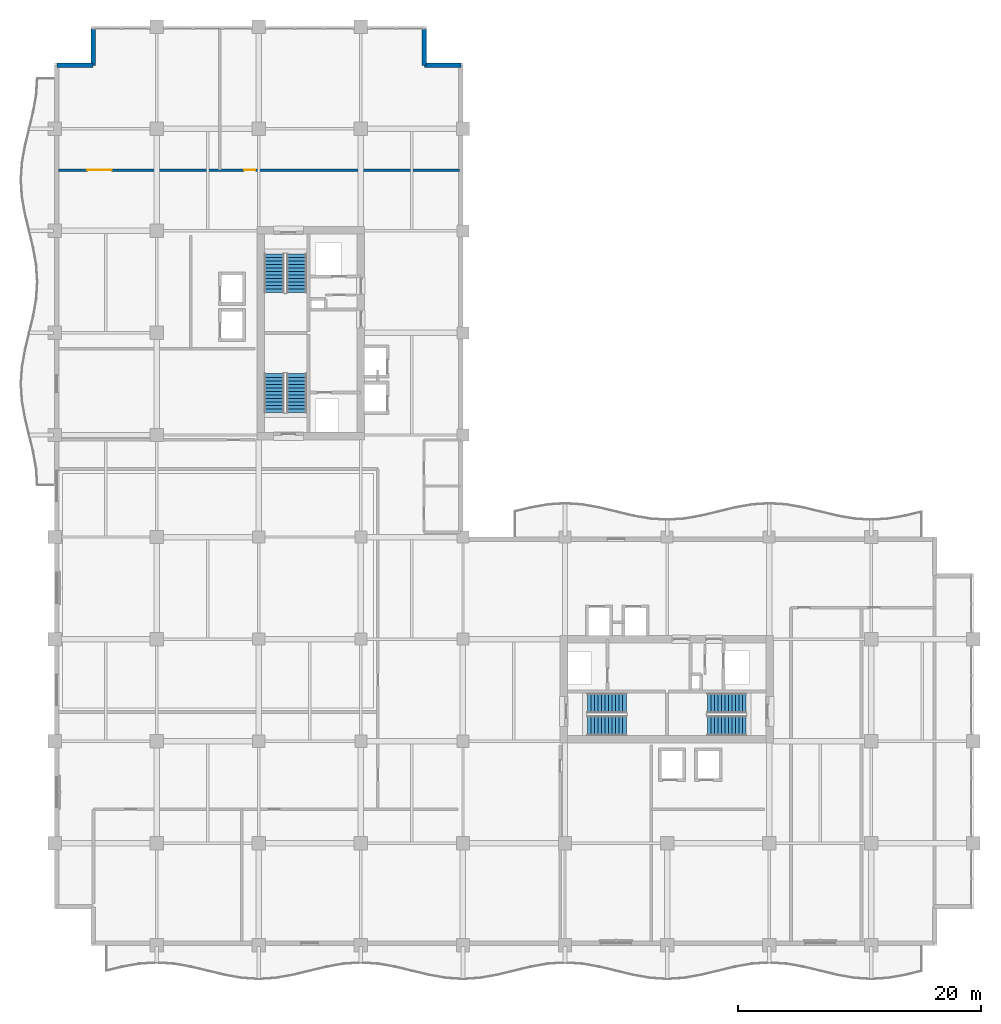
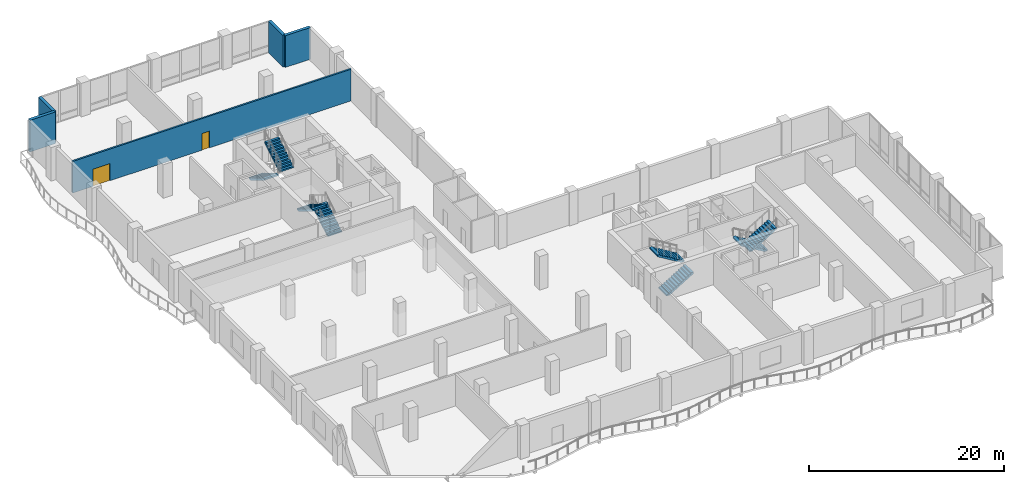
# One storey, part 16 of 22: 8 stair flights, 5 walls, 2 doors, 2 openings, 4 elements without a shape of their own.
"""IFC4 building model written with IfcOpenShell, lengths in metres."""

from ifc_helpers import new_model, si_unit, direction, frame, frame_2d, origin, place, context, subcontext, project, spatial, polyline, rectangle, outline, extrude, material, layer, layer_set, type_object, element, fill, aggregate, save


model = new_model("IFC4")

# Units and contexts
model_context = context("Model", 3, precision=1e-05, world=origin(), true_north=direction((0.0, 1.0)))
body_context = subcontext(model_context, "Body", "Model", "MODEL_VIEW")
ifc_project = project(units=[si_unit("LENGTHUNIT", "METRE"), si_unit("AREAUNIT", "SQUARE_METRE"), si_unit("VOLUMEUNIT", "CUBIC_METRE"), si_unit("PLANEANGLEUNIT", "RADIAN"), si_unit("MASSUNIT", "GRAM", prefix="KILO")], contexts=[model_context])

# Site, building, storey
site_placement = place(None, origin())
site = spatial("IfcSite", under=ifc_project, at=site_placement, CompositionType="ELEMENT")
building_placement = place(site_placement, origin())
building = spatial("IfcBuilding", under=site, at=building_placement, Name="Koriwani Terraces Tower", CompositionType="ELEMENT")
storey_placement = place(building_placement, frame((0.0, 0.0, 219.800048828125)))
storey = spatial("IfcBuildingStorey", under=building, at=storey_placement, Name="L54", CompositionType="ELEMENT", Elevation=219.800048828125)

# Wall, openings, doors
ifc_material_1 = material(Name="Autoclaved Cellular Concrete Blockwork", Category="masonry")
ifc_layer_1 = layer(ifc_material_1, 0.199951171875, Name="Autoclaved Cellular Concrete Blockwork")
ifc_layer_set_1 = layer_set([ifc_layer_1], Name="Autoclaved Cellular Concrete Blockwork")
wall_type_1 = type_object("IfcWallType", Name="WALL_CORRIDOR_200", PredefinedType="PARTITIONING", material=ifc_layer_set_1)
wall_placement = place(storey_placement, frame((0.300048828125, 63.800048828125, 0.0), z_axis=(0.0, 0.0, 1.0), x_axis=(1.0, 0.0, 0.0)))
wall = element("IfcWall", 1, at=wall_placement, inside=storey, type_object=wall_type_1, Name="L54 Interior Wall WSKY-N1-L54", PredefinedType="PARTITIONING", context=body_context, shape_type="SweptSolid", body=[
    extrude(rectangle(XDim=33.0, YDim=0.199951171875, at=frame_2d((16.5, 0.0))), origin(), (0.0, 0.0, 1.0), 3.969970703125),
])
opening_1_placement = place(wall_placement, frame((2.39990234375, 0.0, 0.0)))
opening_1 = element("IfcOpeningElement", 2, at=opening_1_placement, cuts=wall, Name="Opening D-02", PredefinedType="OPENING", context=body_context, shape_type="SweptSolid", body=[
    extrude(rectangle(XDim=2.0, YDim=2.14990234375, at=frame_2d((1.0, 1.074951171875))), frame((0.0, 0.10986328125, 0.0), z_axis=(0.0, -1.0, 0.0), x_axis=(1.0, 0.0, 0.0)), (0.0, 0.0, 1.0), 0.219970703125),
])
opening_2_placement = place(wall_placement, frame((15.300048828125, 0.0, 0.0)))
opening_2 = element("IfcOpeningElement", 3, at=opening_2_placement, cuts=wall, Name="Opening D-06", PredefinedType="OPENING", context=body_context, shape_type="SweptSolid", body=[
    extrude(rectangle(XDim=0.919921875, YDim=2.10009765625, at=frame_2d((0.4599609375, 1.050048828125))), frame((0.0, 0.10986328125, 0.0), z_axis=(0.0, -1.0, 0.0), x_axis=(1.0, 0.0, 0.0)), (0.0, 0.0, 1.0), 0.219970703125),
])
ifc_material_2 = material(Name="Anodised Bronze Aluminium", Category="aluminium")
door_type_1 = type_object("IfcDoorType", Name="DOOR_ENTRANCE_DOUBLE_2000X2400", OperationType="NOTDEFINED", PredefinedType="DOOR", material=ifc_material_2)
door_1_placement = place(opening_1_placement, origin())
door_1 = element("IfcDoor", 4, at=door_1_placement, inside=storey, type_object=door_type_1, Name="L54 North Wellness Studio Door", OperationType="SINGLE_SWING_RIGHT", OverallHeight=2.14990234375, OverallWidth=2.0, PredefinedType="DOOR", context=body_context, shape_type="SweptSolid", body=[
    extrude(rectangle(XDim=2.0, YDim=2.14990234375, at=frame_2d((1.0, 1.074951171875))), frame((0.0, 0.02490234375, 0.0), z_axis=(0.0, -1.0, 0.0), x_axis=(1.0, 0.0, 0.0)), (0.0, 0.0, 1.0), 0.050048828125),
])
fill(opening_1, door_1)
ifc_material_3 = material(Name="Architectural Oak Fire Door", Category="wood")
door_type_2 = type_object("IfcDoorType", Name="DOOR_ROOM_INT_920X2100", OperationType="NOTDEFINED", PredefinedType="DOOR", material=ifc_material_3)
door_2_placement = place(opening_2_placement, origin())
door_2 = element("IfcDoor", 5, at=door_2_placement, inside=storey, type_object=door_type_2, Name="L54 North Observatory Salon Door", OperationType="SINGLE_SWING_LEFT", OverallHeight=2.10009765625, OverallWidth=0.919921875, PredefinedType="DOOR", context=body_context, shape_type="SweptSolid", body=[
    extrude(rectangle(XDim=0.919921875, YDim=2.10009765625, at=frame_2d((0.4599609375, 1.050048828125))), frame((0.0, 0.02490234375, 0.0), z_axis=(0.0, -1.0, 0.0), x_axis=(1.0, 0.0, 0.0)), (0.0, 0.0, 1.0), 0.050048828125),
])
fill(opening_2, door_2)

# Walls
ifc_material_4 = material(Name="Concrete C50/60", Category="concrete")
ifc_layer_2 = layer(ifc_material_4, 0.35009765625, Name="Concrete C50/60")
ifc_layer_set_2 = layer_set([ifc_layer_2], Name="Concrete C50/60")
wall_type_2 = type_object("IfcWallType", Name="WALL_EXT_BRUTALIST_350", PredefinedType="STANDARD", material=ifc_layer_set_2)
for number, where, z_axis, x_axis, name in (
    (6, (0.175048828125, 72.425048828125, 0.0), (0.0, 0.0, 1.0), (1.0, 0.0, 0.0), "L54 Fair-Faced Brutalist Exterior Wall (N3)"),
    (7, (3.175048828125, 72.425048828125, 0.0), (0.0, 0.0, 1.0), (0.0, 1.0, 0.0), "L54 Fair-Faced Brutalist Exterior Wall (N4)"),
    (8, (30.425048828125, 75.425048828125, 0.0), (0.0, 0.0, 1.0), (0.0, -1.0, 0.0), "L54 Fair-Faced Brutalist Exterior Wall (N6)"),
    (9, (30.425048828125, 72.425048828125, 0.0), (0.0, 0.0, 1.0), (1.0, 0.0, 0.0), "L54 Fair-Faced Brutalist Exterior Wall (N7)"),
):
    element("IfcWall", number, at=place(storey_placement, frame(where, z_axis=z_axis, x_axis=x_axis)), inside=storey, type_object=wall_type_2, Name=name, PredefinedType="STANDARD", context=body_context, shape_type="SweptSolid", body=[
        extrude(rectangle(XDim=3.0, YDim=0.35009765625, at=frame_2d((1.5, 0.0))), origin(), (0.0, 0.0, 1.0), 3.969970703125),
    ])

# Stair, stair flights
ifc_material_5 = material(Name="Concrete C40/50", Category="concrete")
stair_type = type_object("IfcStairType", Name="STAIR_CORE_DOGLEG_1650", PredefinedType="TWO_STRAIGHT_RUN_STAIR", material=ifc_material_5)
stair_1_placement = place(storey_placement, origin())
stair_1 = element("IfcStair", 10, at=stair_1_placement, inside=storey, type_object=stair_type, Name="L54 West Core Exit Stair 1", PredefinedType="HALF_TURN_STAIR")
stair_flight_type = type_object("IfcStairFlightType", Name="STAIR_FLIGHT_RC_1650", PredefinedType="STRAIGHT", material=ifc_material_5)
stair_flight_1_placement = place(storey_placement, frame((19.925048828125, 43.85009765625, 0.0), z_axis=(0.0, 0.0, 1.0), x_axis=(0.0, 1.0, 0.0)))
stair_flight_1 = element("IfcStairFlight", 11, at=stair_flight_1_placement, type_object=stair_flight_type, Name="ST-W1 flight 1", NumberOfRisers=12, NumberOfTreads=11, PredefinedType="STRAIGHT", RiserHeight=0.175, TreadLength=0.29, context=body_context, shape_type="SweptSolid", body=[
    extrude(outline(polyline([(0.0, 0.0), (0.0, 0.175048828125), (0.2900390625, 0.175048828125), (0.2900390625, 0.35009765625), (0.580078125, 0.35009765625), (0.580078125, 0.52490234375), (0.8701171875, 0.52490234375), (0.8701171875, 0.699951171875), (1.159912109375, 0.699951171875), (1.159912109375, 0.875), (1.449951171875, 0.875), (1.449951171875, 1.050048828125), (1.739990234375, 1.050048828125), (1.739990234375, 1.22509765625), (2.030029296875, 1.22509765625), (2.030029296875, 1.39990234375), (2.320068359375, 1.39990234375), (2.320068359375, 1.574951171875), (2.610107421875, 1.574951171875), (2.610107421875, 1.75), (2.89990234375, 1.75), (2.89990234375, 1.925048828125), (3.18994140625, 1.925048828125), (3.18994140625, 2.10009765625), (3.18994140625, 1.71484375), (0.34814453125, 0.0), (0.0, 0.0)])), frame((0.0, 0.824951171875, 0.0), z_axis=(0.0, -1.0, 0.0), x_axis=(1.0, 0.0, 0.0)), (0.0, 0.0, 1.0), 1.64990234375),
])
stair_flight_2_placement = place(storey_placement, frame((18.074951171875, 47.0400390625, 2.099853515625), z_axis=(0.0, 0.0, 1.0), x_axis=(0.0, -1.0, 0.0)))
stair_flight_2 = element("IfcStairFlight", 12, at=stair_flight_2_placement, type_object=stair_flight_type, Name="ST-W1 flight 2", NumberOfRisers=12, NumberOfTreads=11, PredefinedType="STRAIGHT", RiserHeight=0.175, TreadLength=0.29, context=body_context, shape_type="SweptSolid", body=[
    extrude(outline(polyline([(0.0, 0.0), (0.0, 0.175048828125), (0.2900390625, 0.175048828125), (0.2900390625, 0.35009765625), (0.580078125, 0.35009765625), (0.580078125, 0.52490234375), (0.8701171875, 0.52490234375), (0.8701171875, 0.699951171875), (1.159912109375, 0.699951171875), (1.159912109375, 0.875), (1.449951171875, 0.875), (1.449951171875, 1.050048828125), (1.739990234375, 1.050048828125), (1.739990234375, 1.22509765625), (2.030029296875, 1.22509765625), (2.030029296875, 1.39990234375), (2.320068359375, 1.39990234375), (2.320068359375, 1.574951171875), (2.610107421875, 1.574951171875), (2.610107421875, 1.75), (2.89990234375, 1.75), (2.89990234375, 1.925048828125), (3.18994140625, 1.925048828125), (3.18994140625, 2.10009765625), (3.18994140625, 1.71484375), (0.34814453125, 0.0), (0.0, 0.0)])), frame((0.0, 0.824951171875, 0.0), z_axis=(0.0, -1.0, 0.0), x_axis=(1.0, 0.0, 0.0)), (0.0, 0.0, 1.0), 1.64990234375),
])
aggregate(stair_1, [stair_flight_1, stair_flight_2])

stair_2_placement = place(storey_placement, origin())
stair_2 = element("IfcStair", 13, at=stair_2_placement, inside=storey, type_object=stair_type, Name="L54 West Core Exit Stair 2", PredefinedType="HALF_TURN_STAIR")
stair_flight_3_placement = place(storey_placement, frame((18.074951171875, 56.89990234375, 0.0), z_axis=(0.0, 0.0, 1.0), x_axis=(0.0, -1.0, 0.0)))
stair_flight_3 = element("IfcStairFlight", 14, at=stair_flight_3_placement, type_object=stair_flight_type, Name="ST-W2 flight 1", NumberOfRisers=12, NumberOfTreads=11, PredefinedType="STRAIGHT", RiserHeight=0.175, TreadLength=0.29, context=body_context, shape_type="SweptSolid", body=[
    extrude(outline(polyline([(0.0, 0.0), (0.0, 0.175048828125), (0.2900390625, 0.175048828125), (0.2900390625, 0.35009765625), (0.580078125, 0.35009765625), (0.580078125, 0.52490234375), (0.8701171875, 0.52490234375), (0.8701171875, 0.699951171875), (1.159912109375, 0.699951171875), (1.159912109375, 0.875), (1.449951171875, 0.875), (1.449951171875, 1.050048828125), (1.739990234375, 1.050048828125), (1.739990234375, 1.22509765625), (2.030029296875, 1.22509765625), (2.030029296875, 1.39990234375), (2.320068359375, 1.39990234375), (2.320068359375, 1.574951171875), (2.610107421875, 1.574951171875), (2.610107421875, 1.75), (2.89990234375, 1.75), (2.89990234375, 1.925048828125), (3.18994140625, 1.925048828125), (3.18994140625, 2.10009765625), (3.18994140625, 1.71484375), (0.34814453125, 0.0), (0.0, 0.0)])), frame((0.0, 0.824951171875, 0.0), z_axis=(0.0, -1.0, 0.0), x_axis=(1.0, 0.0, 0.0)), (0.0, 0.0, 1.0), 1.64990234375),
])
stair_flight_4_placement = place(storey_placement, frame((19.925048828125, 53.7099609375, 2.099853515625), z_axis=(0.0, 0.0, 1.0), x_axis=(0.0, 1.0, 0.0)))
stair_flight_4 = element("IfcStairFlight", 15, at=stair_flight_4_placement, type_object=stair_flight_type, Name="ST-W2 flight 2", NumberOfRisers=12, NumberOfTreads=11, PredefinedType="STRAIGHT", RiserHeight=0.175, TreadLength=0.29, context=body_context, shape_type="SweptSolid", body=[
    extrude(outline(polyline([(0.0, 0.0), (0.0, 0.175048828125), (0.2900390625, 0.175048828125), (0.2900390625, 0.35009765625), (0.580078125, 0.35009765625), (0.580078125, 0.52490234375), (0.8701171875, 0.52490234375), (0.8701171875, 0.699951171875), (1.159912109375, 0.699951171875), (1.159912109375, 0.875), (1.449951171875, 0.875), (1.449951171875, 1.050048828125), (1.739990234375, 1.050048828125), (1.739990234375, 1.22509765625), (2.030029296875, 1.22509765625), (2.030029296875, 1.39990234375), (2.320068359375, 1.39990234375), (2.320068359375, 1.574951171875), (2.610107421875, 1.574951171875), (2.610107421875, 1.75), (2.89990234375, 1.75), (2.89990234375, 1.925048828125), (3.18994140625, 1.925048828125), (3.18994140625, 2.10009765625), (3.18994140625, 1.71484375), (0.34814453125, 0.0), (0.0, 0.0)])), frame((0.0, 0.824951171875, 0.0), z_axis=(0.0, -1.0, 0.0), x_axis=(1.0, 0.0, 0.0)), (0.0, 0.0, 1.0), 1.64990234375),
])
aggregate(stair_2, [stair_flight_3, stair_flight_4])

stair_3_placement = place(storey_placement, origin())
stair_3 = element("IfcStair", 16, at=stair_3_placement, inside=storey, type_object=stair_type, Name="L54 East Core Exit Stair 1", PredefinedType="HALF_TURN_STAIR")
stair_flight_5_placement = place(storey_placement, frame((43.85009765625, 18.074951171875, 0.0), z_axis=(0.0, 0.0, 1.0), x_axis=(1.0, 0.0, 0.0)))
stair_flight_5 = element("IfcStairFlight", 17, at=stair_flight_5_placement, type_object=stair_flight_type, Name="ST-E1 flight 1", NumberOfRisers=12, NumberOfTreads=11, PredefinedType="STRAIGHT", RiserHeight=0.175, TreadLength=0.29, context=body_context, shape_type="SweptSolid", body=[
    extrude(outline(polyline([(0.0, 0.0), (0.0, 0.175048828125), (0.2900390625, 0.175048828125), (0.2900390625, 0.35009765625), (0.580078125, 0.35009765625), (0.580078125, 0.52490234375), (0.8701171875, 0.52490234375), (0.8701171875, 0.699951171875), (1.159912109375, 0.699951171875), (1.159912109375, 0.875), (1.449951171875, 0.875), (1.449951171875, 1.050048828125), (1.739990234375, 1.050048828125), (1.739990234375, 1.22509765625), (2.030029296875, 1.22509765625), (2.030029296875, 1.39990234375), (2.320068359375, 1.39990234375), (2.320068359375, 1.574951171875), (2.610107421875, 1.574951171875), (2.610107421875, 1.75), (2.89990234375, 1.75), (2.89990234375, 1.925048828125), (3.18994140625, 1.925048828125), (3.18994140625, 2.10009765625), (3.18994140625, 1.71484375), (0.34814453125, 0.0), (0.0, 0.0)])), frame((0.0, 0.824951171875, 0.0), z_axis=(0.0, -1.0, 0.0), x_axis=(1.0, 0.0, 0.0)), (0.0, 0.0, 1.0), 1.64990234375),
])
stair_flight_6_placement = place(storey_placement, frame((47.0400390625, 19.925048828125, 2.099853515625), z_axis=(0.0, 0.0, 1.0), x_axis=(-1.0, 0.0, 0.0)))
stair_flight_6 = element("IfcStairFlight", 18, at=stair_flight_6_placement, type_object=stair_flight_type, Name="ST-E1 flight 2", NumberOfRisers=12, NumberOfTreads=11, PredefinedType="STRAIGHT", RiserHeight=0.175, TreadLength=0.29, context=body_context, shape_type="SweptSolid", body=[
    extrude(outline(polyline([(0.0, 0.0), (0.0, 0.175048828125), (0.2900390625, 0.175048828125), (0.2900390625, 0.35009765625), (0.580078125, 0.35009765625), (0.580078125, 0.52490234375), (0.8701171875, 0.52490234375), (0.8701171875, 0.699951171875), (1.159912109375, 0.699951171875), (1.159912109375, 0.875), (1.449951171875, 0.875), (1.449951171875, 1.050048828125), (1.739990234375, 1.050048828125), (1.739990234375, 1.22509765625), (2.030029296875, 1.22509765625), (2.030029296875, 1.39990234375), (2.320068359375, 1.39990234375), (2.320068359375, 1.574951171875), (2.610107421875, 1.574951171875), (2.610107421875, 1.75), (2.89990234375, 1.75), (2.89990234375, 1.925048828125), (3.18994140625, 1.925048828125), (3.18994140625, 2.10009765625), (3.18994140625, 1.71484375), (0.34814453125, 0.0), (0.0, 0.0)])), frame((0.0, 0.824951171875, 0.0), z_axis=(0.0, -1.0, 0.0), x_axis=(1.0, 0.0, 0.0)), (0.0, 0.0, 1.0), 1.64990234375),
])
aggregate(stair_3, [stair_flight_5, stair_flight_6])

stair_4_placement = place(storey_placement, origin())
stair_4 = element("IfcStair", 19, at=stair_4_placement, inside=storey, type_object=stair_type, Name="L54 East Core Exit Stair 2", PredefinedType="HALF_TURN_STAIR")
stair_flight_7_placement = place(storey_placement, frame((56.89990234375, 19.925048828125, 0.0), z_axis=(0.0, 0.0, 1.0), x_axis=(-1.0, 0.0, 0.0)))
stair_flight_7 = element("IfcStairFlight", 20, at=stair_flight_7_placement, type_object=stair_flight_type, Name="ST-E2 flight 1", NumberOfRisers=12, NumberOfTreads=11, PredefinedType="STRAIGHT", RiserHeight=0.175, TreadLength=0.29, context=body_context, shape_type="SweptSolid", body=[
    extrude(outline(polyline([(0.0, 0.0), (0.0, 0.175048828125), (0.2900390625, 0.175048828125), (0.2900390625, 0.35009765625), (0.580078125, 0.35009765625), (0.580078125, 0.52490234375), (0.8701171875, 0.52490234375), (0.8701171875, 0.699951171875), (1.159912109375, 0.699951171875), (1.159912109375, 0.875), (1.449951171875, 0.875), (1.449951171875, 1.050048828125), (1.739990234375, 1.050048828125), (1.739990234375, 1.22509765625), (2.030029296875, 1.22509765625), (2.030029296875, 1.39990234375), (2.320068359375, 1.39990234375), (2.320068359375, 1.574951171875), (2.610107421875, 1.574951171875), (2.610107421875, 1.75), (2.89990234375, 1.75), (2.89990234375, 1.925048828125), (3.18994140625, 1.925048828125), (3.18994140625, 2.10009765625), (3.18994140625, 1.71484375), (0.34814453125, 0.0), (0.0, 0.0)])), frame((0.0, 0.824951171875, 0.0), z_axis=(0.0, -1.0, 0.0), x_axis=(1.0, 0.0, 0.0)), (0.0, 0.0, 1.0), 1.64990234375),
])
stair_flight_8_placement = place(storey_placement, frame((53.7099609375, 18.074951171875, 2.099853515625), z_axis=(0.0, 0.0, 1.0), x_axis=(1.0, 0.0, 0.0)))
stair_flight_8 = element("IfcStairFlight", 21, at=stair_flight_8_placement, type_object=stair_flight_type, Name="ST-E2 flight 2", NumberOfRisers=12, NumberOfTreads=11, PredefinedType="STRAIGHT", RiserHeight=0.175, TreadLength=0.29, context=body_context, shape_type="SweptSolid", body=[
    extrude(outline(polyline([(0.0, 0.0), (0.0, 0.175048828125), (0.2900390625, 0.175048828125), (0.2900390625, 0.35009765625), (0.580078125, 0.35009765625), (0.580078125, 0.52490234375), (0.8701171875, 0.52490234375), (0.8701171875, 0.699951171875), (1.159912109375, 0.699951171875), (1.159912109375, 0.875), (1.449951171875, 0.875), (1.449951171875, 1.050048828125), (1.739990234375, 1.050048828125), (1.739990234375, 1.22509765625), (2.030029296875, 1.22509765625), (2.030029296875, 1.39990234375), (2.320068359375, 1.39990234375), (2.320068359375, 1.574951171875), (2.610107421875, 1.574951171875), (2.610107421875, 1.75), (2.89990234375, 1.75), (2.89990234375, 1.925048828125), (3.18994140625, 1.925048828125), (3.18994140625, 2.10009765625), (3.18994140625, 1.71484375), (0.34814453125, 0.0), (0.0, 0.0)])), frame((0.0, 0.824951171875, 0.0), z_axis=(0.0, -1.0, 0.0), x_axis=(1.0, 0.0, 0.0)), (0.0, 0.0, 1.0), 1.64990234375),
])
aggregate(stair_4, [stair_flight_7, stair_flight_8])

save(model, "model.ifc")
